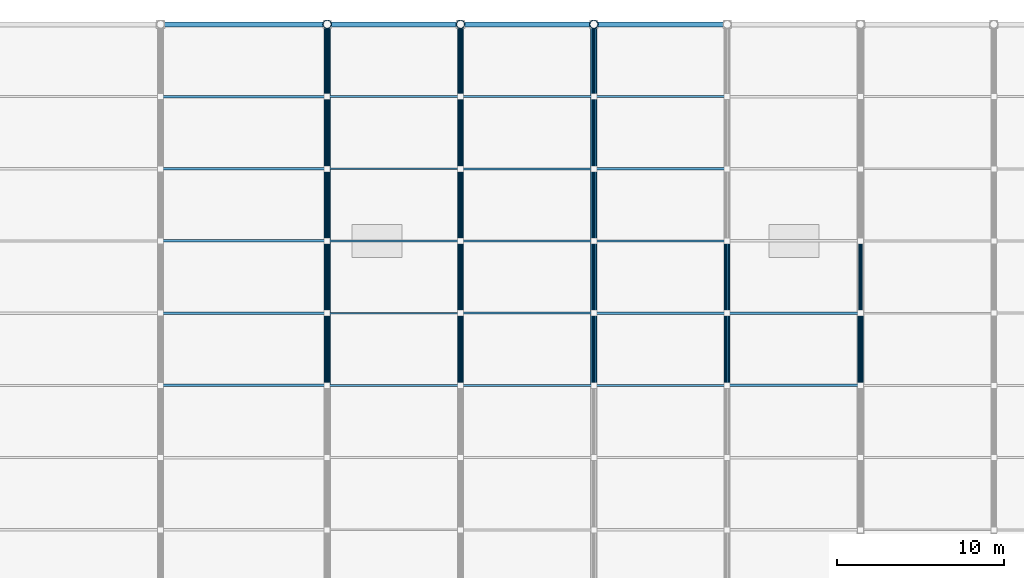
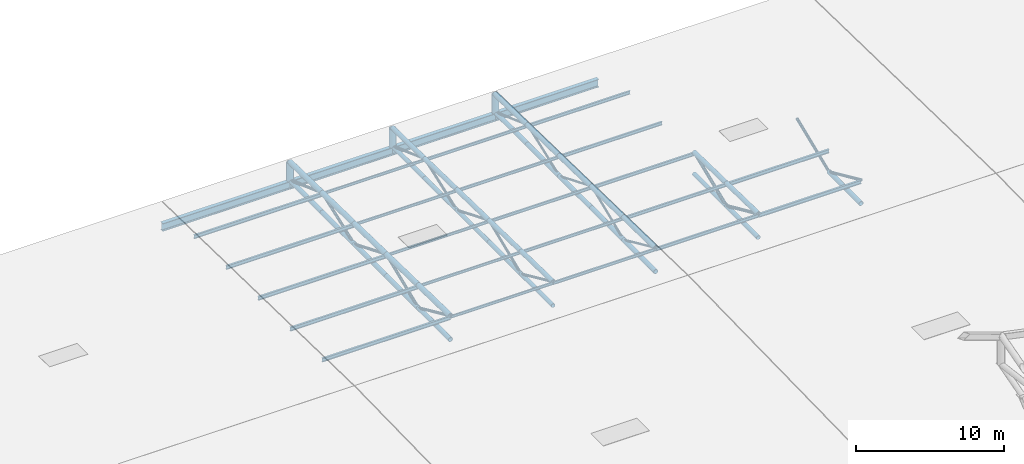
# One storey, part 51 of 75: 79 members, 4 beams.
"""IFC4 building model written with IfcOpenShell, lengths in metres."""

from ifc_helpers import new_model, si_unit, direction, frame, origin, origin_2d, place, context, subcontext, project, spatial, hollow_circle, i_section, extrude, material, material_profile, profile_set, type_object, element, save


model = new_model("IFC4")

# Units and contexts
model_context = context("Model", 3, precision=1e-05, world=origin(), true_north=direction((0.0, 1.0)))
body_context = subcontext(model_context, "Body", "Model", "MODEL_VIEW")
ifc_project = project(units=[si_unit("LENGTHUNIT", "METRE"), si_unit("AREAUNIT", "SQUARE_METRE"), si_unit("VOLUMEUNIT", "CUBIC_METRE"), si_unit("PLANEANGLEUNIT", "RADIAN"), si_unit("MASSUNIT", "GRAM", prefix="KILO")], contexts=[model_context])

# Site, building, storey
site_placement = place(None, origin())
site = spatial("IfcSite", under=ifc_project, at=site_placement, CompositionType="ELEMENT")
building_placement = place(site_placement, origin())
building = spatial("IfcBuilding", under=site, at=building_placement, Name="Khorjan Park Terminus", CompositionType="ELEMENT")
storey_placement = place(building_placement, frame((0.0, 0.0, 16.2)))
storey = spatial("IfcBuildingStorey", under=building, at=storey_placement, Name="L03", CompositionType="ELEMENT", Elevation=16.2)

# Members
ifc_material = material(Name="Steel S355", Category="steel")
ifc_material_profile_1 = material_profile(ifc_material, hollow_circle(Radius=0.0842, WallThickness=0.008, at=origin_2d()), Name="CHS 168.3x8")
ifc_profile_set_1 = profile_set([ifc_material_profile_1], Name="Steel S355")
member_type_1 = type_object("IfcMemberType", Name="MB-BR-168", PredefinedType="BRACE", material=ifc_profile_set_1)
member_1_placement = place(storey_placement, frame((56.0, 132.3333, -0.6417), z_axis=(0.0, 0.911269553162, -0.411810395061), x_axis=(-1.0, 0.0, 0.0)))
element("IfcMember", 1, at=member_1_placement, inside=storey, type_object=member_type_1, Name="Train shed flat truss web diagonal TB-17 (T7)", PredefinedType="BRACE", context=body_context, shape_type="SweptSolid", body=[
    extrude(hollow_circle(Radius=0.0842, WallThickness=0.008, at=origin_2d()), origin(), (0.0, 0.0, 1.0), 4.7553),
])
for number, where, z_axis, x_axis, name in (
    (2, (56.0, 136.6667, -2.6), (0.0, 0.92537575721, 0.379051062481), (-1.0, 0.0, 0.0), "Train shed flat truss web diagonal TB-17 (T7)"),
    (3, (56.0, 141.0, -0.825), (0.0, 0.92537575721, -0.379051062481), (-1.0, 0.0, 0.0), "Train shed flat truss web diagonal TB-17 (T7)"),
):
    element("IfcMember", number, at=place(storey_placement, frame(where, z_axis=z_axis, x_axis=x_axis)), inside=storey, type_object=member_type_1, Name=name, PredefinedType="BRACE", context=body_context, shape_type="SweptSolid", body=[
        extrude(hollow_circle(Radius=0.0842, WallThickness=0.008, at=origin_2d()), origin(), (0.0, 0.0, 1.0), 4.6827),
    ])
member_2_placement = place(storey_placement, frame((56.0, 145.3333, -2.6), z_axis=(0.0, 0.938681062758, 0.344786691187), x_axis=(-1.0, 0.0, 0.0)))
element("IfcMember", 4, at=member_2_placement, inside=storey, type_object=member_type_1, Name="Train shed flat truss web diagonal TB-17 (T7)", PredefinedType="BRACE", context=body_context, shape_type="SweptSolid", body=[
    extrude(hollow_circle(Radius=0.0842, WallThickness=0.008, at=origin_2d()), origin(), (0.0, 0.0, 1.0), 4.6165),
])
member_3_placement = place(storey_placement, frame((56.0, 149.6667, -1.0083), z_axis=(0.0, 0.938678487602, -0.344793701963), x_axis=(-1.0, 0.0, 0.0)))
element("IfcMember", 5, at=member_3_placement, inside=storey, type_object=member_type_1, Name="Train shed flat truss web diagonal TB-17 (T7)", PredefinedType="BRACE", context=body_context, shape_type="SweptSolid", body=[
    extrude(hollow_circle(Radius=0.0842, WallThickness=0.008, at=origin_2d()), origin(), (0.0, 0.0, 1.0), 4.6164),
])
ifc_material_profile_2 = material_profile(ifc_material, hollow_circle(Radius=0.0969, WallThickness=0.01, at=origin_2d()), Name="CHS 193.7x10")
ifc_profile_set_2 = profile_set([ifc_material_profile_2], Name="Steel S355")
member_type_2 = type_object("IfcMemberType", Name="MB-BR-194", PredefinedType="BRACE", material=ifc_profile_set_2)
member_4_placement = place(storey_placement, frame((48.0, 132.3333, -0.6417), z_axis=(0.0, 0.911269553162, -0.411810395061), x_axis=(-1.0, 0.0, 0.0)))
element("IfcMember", 6, at=member_4_placement, inside=storey, type_object=member_type_2, Name="Train shed flat truss web diagonal TB-19 (T6)", PredefinedType="BRACE", context=body_context, shape_type="SweptSolid", body=[
    extrude(hollow_circle(Radius=0.0969, WallThickness=0.01, at=origin_2d()), origin(), (0.0, 0.0, 1.0), 4.7553),
])
for number, where, z_axis, x_axis, name in (
    (7, (48.0, 136.6667, -2.6), (0.0, 0.92537575721, 0.379051062481), (-1.0, 0.0, 0.0), "Train shed flat truss web diagonal TB-19 (T6)"),
    (8, (48.0, 141.0, -0.825), (0.0, 0.92537575721, -0.379051062481), (-1.0, 0.0, 0.0), "Train shed flat truss web diagonal TB-19 (T6)"),
):
    element("IfcMember", number, at=place(storey_placement, frame(where, z_axis=z_axis, x_axis=x_axis)), inside=storey, type_object=member_type_2, Name=name, PredefinedType="BRACE", context=body_context, shape_type="SweptSolid", body=[
        extrude(hollow_circle(Radius=0.0969, WallThickness=0.01, at=origin_2d()), origin(), (0.0, 0.0, 1.0), 4.6827),
    ])
member_5_placement = place(storey_placement, frame((48.0, 145.3333, -2.6), z_axis=(0.0, 0.938681062758, 0.344786691187), x_axis=(-1.0, 0.0, 0.0)))
element("IfcMember", 9, at=member_5_placement, inside=storey, type_object=member_type_2, Name="Train shed flat truss web diagonal TB-19 (T6)", PredefinedType="BRACE", context=body_context, shape_type="SweptSolid", body=[
    extrude(hollow_circle(Radius=0.0969, WallThickness=0.01, at=origin_2d()), origin(), (0.0, 0.0, 1.0), 4.6165),
])
member_6_placement = place(storey_placement, frame((48.0, 149.6667, -1.0083), z_axis=(0.0, 0.938678487602, -0.344793701963), x_axis=(-1.0, 0.0, 0.0)))
element("IfcMember", 10, at=member_6_placement, inside=storey, type_object=member_type_2, Name="Train shed flat truss web diagonal TB-19 (T6)", PredefinedType="BRACE", context=body_context, shape_type="SweptSolid", body=[
    extrude(hollow_circle(Radius=0.0969, WallThickness=0.01, at=origin_2d()), origin(), (0.0, 0.0, 1.0), 4.6164),
])
ifc_material_profile_3 = material_profile(ifc_material, hollow_circle(Radius=0.1095, WallThickness=0.01, at=origin_2d()), Name="CHS 219.1x10")
ifc_profile_set_3 = profile_set([ifc_material_profile_3], Name="Steel S355")
member_type_3 = type_object("IfcMemberType", Name="MB-BR-219", PredefinedType="BRACE", material=ifc_profile_set_3)
member_7_placement = place(storey_placement, frame((40.0, 132.3333, -0.6417), z_axis=(0.0, 0.911269553162, -0.411810395061), x_axis=(-1.0, 0.0, 0.0)))
element("IfcMember", 11, at=member_7_placement, inside=storey, type_object=member_type_3, Name="Train shed flat truss web diagonal TB-22 (T5)", PredefinedType="BRACE", context=body_context, shape_type="SweptSolid", body=[
    extrude(hollow_circle(Radius=0.1095, WallThickness=0.01, at=origin_2d()), origin(), (0.0, 0.0, 1.0), 4.7553),
])
for number, where, z_axis, x_axis, name in (
    (12, (40.0, 136.6667, -2.6), (0.0, 0.92537575721, 0.379051062481), (-1.0, 0.0, 0.0), "Train shed flat truss web diagonal TB-22 (T5)"),
    (13, (40.0, 141.0, -0.825), (0.0, 0.92537575721, -0.379051062481), (-1.0, 0.0, 0.0), "Train shed flat truss web diagonal TB-22 (T5)"),
):
    element("IfcMember", number, at=place(storey_placement, frame(where, z_axis=z_axis, x_axis=x_axis)), inside=storey, type_object=member_type_3, Name=name, PredefinedType="BRACE", context=body_context, shape_type="SweptSolid", body=[
        extrude(hollow_circle(Radius=0.1095, WallThickness=0.01, at=origin_2d()), origin(), (0.0, 0.0, 1.0), 4.6827),
    ])
member_8_placement = place(storey_placement, frame((40.0, 145.3333, -2.6), z_axis=(0.0, 0.938681062758, 0.344786691187), x_axis=(-1.0, 0.0, 0.0)))
element("IfcMember", 14, at=member_8_placement, inside=storey, type_object=member_type_3, Name="Train shed flat truss web diagonal TB-22 (T5)", PredefinedType="BRACE", context=body_context, shape_type="SweptSolid", body=[
    extrude(hollow_circle(Radius=0.1095, WallThickness=0.01, at=origin_2d()), origin(), (0.0, 0.0, 1.0), 4.6165),
])
member_9_placement = place(storey_placement, frame((40.0, 149.6667, -1.0083), z_axis=(0.0, 0.938678487602, -0.344793701963), x_axis=(-1.0, 0.0, 0.0)))
element("IfcMember", 15, at=member_9_placement, inside=storey, type_object=member_type_3, Name="Train shed flat truss web diagonal TB-22 (T5)", PredefinedType="BRACE", context=body_context, shape_type="SweptSolid", body=[
    extrude(hollow_circle(Radius=0.1095, WallThickness=0.01, at=origin_2d()), origin(), (0.0, 0.0, 1.0), 4.6164),
])
member_10_placement = place(storey_placement, frame((72.0, 132.3333, -0.6417), z_axis=(0.0, 0.911269553162, -0.411810395061), x_axis=(-1.0, 0.0, 0.0)))
element("IfcMember", 16, at=member_10_placement, inside=storey, type_object=member_type_3, Name="Train shed flat truss web diagonal TB-22 (T9)", PredefinedType="BRACE", context=body_context, shape_type="SweptSolid", body=[
    extrude(hollow_circle(Radius=0.1095, WallThickness=0.01, at=origin_2d()), origin(), (0.0, 0.0, 1.0), 4.7553),
])
member_11_placement = place(storey_placement, frame((72.0, 136.6667, -2.6), z_axis=(0.0, 0.92537575721, 0.379051062481), x_axis=(-1.0, 0.0, 0.0)))
element("IfcMember", 17, at=member_11_placement, inside=storey, type_object=member_type_3, Name="Train shed flat truss web diagonal TB-22 (T9)", PredefinedType="BRACE", context=body_context, shape_type="SweptSolid", body=[
    extrude(hollow_circle(Radius=0.1095, WallThickness=0.01, at=origin_2d()), origin(), (0.0, 0.0, 1.0), 4.6827),
])
ifc_material_profile_4 = material_profile(ifc_material, hollow_circle(Radius=0.1222, WallThickness=0.0125, at=origin_2d()), Name="CHS 244.5x12.5")
ifc_profile_set_4 = profile_set([ifc_material_profile_4], Name="Steel S355")
member_type_4 = type_object("IfcMemberType", Name="MB-BR-245", PredefinedType="BRACE", material=ifc_profile_set_4)
member_12_placement = place(storey_placement, frame((64.0, 132.3333, -0.6417), z_axis=(0.0, 0.911269553162, -0.411810395061), x_axis=(-1.0, 0.0, 0.0)))
element("IfcMember", 18, at=member_12_placement, inside=storey, type_object=member_type_4, Name="Train shed flat truss web diagonal TB-24 (T8)", PredefinedType="BRACE", context=body_context, shape_type="SweptSolid", body=[
    extrude(hollow_circle(Radius=0.1222, WallThickness=0.0125, at=origin_2d()), origin(), (0.0, 0.0, 1.0), 4.7553),
])
member_13_placement = place(storey_placement, frame((64.0, 136.6667, -2.6), z_axis=(0.0, 0.92537575721, 0.379051062481), x_axis=(-1.0, 0.0, 0.0)))
element("IfcMember", 19, at=member_13_placement, inside=storey, type_object=member_type_4, Name="Train shed flat truss web diagonal TB-24 (T8)", PredefinedType="BRACE", context=body_context, shape_type="SweptSolid", body=[
    extrude(hollow_circle(Radius=0.1222, WallThickness=0.0125, at=origin_2d()), origin(), (0.0, 0.0, 1.0), 4.6827),
])
ifc_material_profile_5 = material_profile(ifc_material, hollow_circle(Radius=0.162, WallThickness=0.0125, at=origin_2d()), Name="CHS 323.9x12.5")
ifc_profile_set_5 = profile_set([ifc_material_profile_5], Name="Steel S355")
member_type_5 = type_object("IfcMemberType", Name="MB-CH-324", PredefinedType="CHORD", material=ifc_profile_set_5)
member_14_placement = place(storey_placement, frame((48.0, 132.3333, -2.6), z_axis=(0.0, 1.0, 0.0), x_axis=(-1.0, 0.0, 0.0)))
element("IfcMember", 20, at=member_14_placement, inside=storey, type_object=member_type_5, Name="Train shed flat truss bottom chord TC-32 (T6)", PredefinedType="CHORD", context=body_context, shape_type="SweptSolid", body=[
    extrude(hollow_circle(Radius=0.162, WallThickness=0.0125, at=origin_2d()), origin(), (0.0, 0.0, 1.0), 4.3334),
])
for number, where, z_axis, x_axis, name in (
    (21, (48.0, 136.6667, -2.6), (0.0, 1.0, 0.0), (-1.0, 0.0, 0.0), "Train shed flat truss bottom chord TC-32 (T6)"),
    (22, (48.0, 141.0, -2.6), (0.0, 1.0, 0.0), (-1.0, 0.0, 0.0), "Train shed flat truss bottom chord TC-32 (T6)"),
):
    element("IfcMember", number, at=place(storey_placement, frame(where, z_axis=z_axis, x_axis=x_axis)), inside=storey, type_object=member_type_5, Name=name, PredefinedType="CHORD", context=body_context, shape_type="SweptSolid", body=[
        extrude(hollow_circle(Radius=0.162, WallThickness=0.0125, at=origin_2d()), origin(), (0.0, 0.0, 1.0), 4.3333),
    ])
member_15_placement = place(storey_placement, frame((48.0, 145.3333, -2.6), z_axis=(0.0, 1.0, 0.0), x_axis=(-1.0, 0.0, 0.0)))
element("IfcMember", 23, at=member_15_placement, inside=storey, type_object=member_type_5, Name="Train shed flat truss bottom chord TC-32 (T6)", PredefinedType="CHORD", context=body_context, shape_type="SweptSolid", body=[
    extrude(hollow_circle(Radius=0.162, WallThickness=0.0125, at=origin_2d()), origin(), (0.0, 0.0, 1.0), 4.3334),
])
member_16_placement = place(storey_placement, frame((48.0, 149.6667, -2.6), z_axis=(0.0, 1.0, 0.0), x_axis=(-1.0, 0.0, 0.0)))
element("IfcMember", 24, at=member_16_placement, inside=storey, type_object=member_type_5, Name="Train shed flat truss bottom chord TC-32 (T6)", PredefinedType="CHORD", context=body_context, shape_type="SweptSolid", body=[
    extrude(hollow_circle(Radius=0.162, WallThickness=0.0125, at=origin_2d()), origin(), (0.0, 0.0, 1.0), 4.3333),
])
member_17_placement = place(storey_placement, frame((64.0, 132.3333, -2.6), z_axis=(0.0, 1.0, 0.0), x_axis=(-1.0, 0.0, 0.0)))
element("IfcMember", 25, at=member_17_placement, inside=storey, type_object=member_type_5, Name="Train shed flat truss bottom chord TC-32 (T8)", PredefinedType="CHORD", context=body_context, shape_type="SweptSolid", body=[
    extrude(hollow_circle(Radius=0.162, WallThickness=0.0125, at=origin_2d()), origin(), (0.0, 0.0, 1.0), 4.3334),
])
member_18_placement = place(storey_placement, frame((64.0, 136.6667, -2.6), z_axis=(0.0, 1.0, 0.0), x_axis=(-1.0, 0.0, 0.0)))
element("IfcMember", 26, at=member_18_placement, inside=storey, type_object=member_type_5, Name="Train shed flat truss bottom chord TC-32 (T8)", PredefinedType="CHORD", context=body_context, shape_type="SweptSolid", body=[
    extrude(hollow_circle(Radius=0.162, WallThickness=0.0125, at=origin_2d()), origin(), (0.0, 0.0, 1.0), 4.3333),
])
ifc_material_profile_6 = material_profile(ifc_material, hollow_circle(Radius=0.1778, WallThickness=0.016, at=origin_2d()), Name="CHS 355.6x16")
ifc_profile_set_6 = profile_set([ifc_material_profile_6], Name="Steel S355")
member_type_6 = type_object("IfcMemberType", Name="MB-CH-356", PredefinedType="CHORD", material=ifc_profile_set_6)
member_19_placement = place(storey_placement, frame((40.0, 132.3333, -2.6), z_axis=(0.0, 1.0, 0.0), x_axis=(-1.0, 0.0, 0.0)))
element("IfcMember", 27, at=member_19_placement, inside=storey, type_object=member_type_6, Name="Train shed flat truss bottom chord TC-36 (T5)", PredefinedType="CHORD", context=body_context, shape_type="SweptSolid", body=[
    extrude(hollow_circle(Radius=0.1778, WallThickness=0.016, at=origin_2d()), origin(), (0.0, 0.0, 1.0), 4.3334),
])
for number, where, z_axis, x_axis, name in (
    (28, (40.0, 136.6667, -2.6), (0.0, 1.0, 0.0), (-1.0, 0.0, 0.0), "Train shed flat truss bottom chord TC-36 (T5)"),
    (29, (40.0, 141.0, -2.6), (0.0, 1.0, 0.0), (-1.0, 0.0, 0.0), "Train shed flat truss bottom chord TC-36 (T5)"),
):
    element("IfcMember", number, at=place(storey_placement, frame(where, z_axis=z_axis, x_axis=x_axis)), inside=storey, type_object=member_type_6, Name=name, PredefinedType="CHORD", context=body_context, shape_type="SweptSolid", body=[
        extrude(hollow_circle(Radius=0.1778, WallThickness=0.016, at=origin_2d()), origin(), (0.0, 0.0, 1.0), 4.3333),
    ])
member_20_placement = place(storey_placement, frame((40.0, 145.3333, -2.6), z_axis=(0.0, 1.0, 0.0), x_axis=(-1.0, 0.0, 0.0)))
element("IfcMember", 30, at=member_20_placement, inside=storey, type_object=member_type_6, Name="Train shed flat truss bottom chord TC-36 (T5)", PredefinedType="CHORD", context=body_context, shape_type="SweptSolid", body=[
    extrude(hollow_circle(Radius=0.1778, WallThickness=0.016, at=origin_2d()), origin(), (0.0, 0.0, 1.0), 4.3334),
])
member_21_placement = place(storey_placement, frame((40.0, 149.6667, -2.6), z_axis=(0.0, 1.0, 0.0), x_axis=(-1.0, 0.0, 0.0)))
element("IfcMember", 31, at=member_21_placement, inside=storey, type_object=member_type_6, Name="Train shed flat truss bottom chord TC-36 (T5)", PredefinedType="CHORD", context=body_context, shape_type="SweptSolid", body=[
    extrude(hollow_circle(Radius=0.1778, WallThickness=0.016, at=origin_2d()), origin(), (0.0, 0.0, 1.0), 4.3333),
])
member_22_placement = place(storey_placement, frame((48.0, 132.3333, -0.6417), z_axis=(0.0, 0.999776664437, -0.021133415439), x_axis=(-1.0, 0.0, 0.0)))
element("IfcMember", 32, at=member_22_placement, inside=storey, type_object=member_type_6, Name="Train shed flat truss top chord TC-36 (T6)", PredefinedType="CHORD", context=body_context, shape_type="SweptSolid", body=[
    extrude(hollow_circle(Radius=0.1778, WallThickness=0.016, at=origin_2d()), origin(), (0.0, 0.0, 1.0), 4.3344),
])
for number, where, z_axis, x_axis, name in (
    (33, (48.0, 136.6667, -0.7333), (0.0, 0.999776166375, -0.021156964544), (-1.0, 0.0, 0.0), "Train shed flat truss top chord TC-36 (T6)"),
    (34, (48.0, 141.0, -0.825), (0.0, 0.999776166375, -0.021156964544), (-1.0, 0.0, 0.0), "Train shed flat truss top chord TC-36 (T6)"),
):
    element("IfcMember", number, at=place(storey_placement, frame(where, z_axis=z_axis, x_axis=x_axis)), inside=storey, type_object=member_type_6, Name=name, PredefinedType="CHORD", context=body_context, shape_type="SweptSolid", body=[
        extrude(hollow_circle(Radius=0.1778, WallThickness=0.016, at=origin_2d()), origin(), (0.0, 0.0, 1.0), 4.3343),
    ])
member_23_placement = place(storey_placement, frame((48.0, 145.3333, -0.9167), z_axis=(0.0, 0.999776664437, -0.021133415439), x_axis=(-1.0, 0.0, 0.0)))
element("IfcMember", 35, at=member_23_placement, inside=storey, type_object=member_type_6, Name="Train shed flat truss top chord TC-36 (T6)", PredefinedType="CHORD", context=body_context, shape_type="SweptSolid", body=[
    extrude(hollow_circle(Radius=0.1778, WallThickness=0.016, at=origin_2d()), origin(), (0.0, 0.0, 1.0), 4.3344),
])
member_24_placement = place(storey_placement, frame((48.0, 149.6667, -1.0083), z_axis=(0.0, 0.999776166375, -0.021156964544), x_axis=(-1.0, 0.0, 0.0)))
element("IfcMember", 36, at=member_24_placement, inside=storey, type_object=member_type_6, Name="Train shed flat truss top chord TC-36 (T6)", PredefinedType="CHORD", context=body_context, shape_type="SweptSolid", body=[
    extrude(hollow_circle(Radius=0.1778, WallThickness=0.016, at=origin_2d()), origin(), (0.0, 0.0, 1.0), 4.3343),
])
member_25_placement = place(storey_placement, frame((56.0, 132.3333, -2.6), z_axis=(0.0, 1.0, 0.0), x_axis=(-1.0, 0.0, 0.0)))
element("IfcMember", 37, at=member_25_placement, inside=storey, type_object=member_type_6, Name="Train shed flat truss bottom chord TC-36 (T7)", PredefinedType="CHORD", context=body_context, shape_type="SweptSolid", body=[
    extrude(hollow_circle(Radius=0.1778, WallThickness=0.016, at=origin_2d()), origin(), (0.0, 0.0, 1.0), 4.3334),
])
for number, where, z_axis, x_axis, name in (
    (38, (56.0, 136.6667, -2.6), (0.0, 1.0, 0.0), (-1.0, 0.0, 0.0), "Train shed flat truss bottom chord TC-36 (T7)"),
    (39, (56.0, 141.0, -2.6), (0.0, 1.0, 0.0), (-1.0, 0.0, 0.0), "Train shed flat truss bottom chord TC-36 (T7)"),
):
    element("IfcMember", number, at=place(storey_placement, frame(where, z_axis=z_axis, x_axis=x_axis)), inside=storey, type_object=member_type_6, Name=name, PredefinedType="CHORD", context=body_context, shape_type="SweptSolid", body=[
        extrude(hollow_circle(Radius=0.1778, WallThickness=0.016, at=origin_2d()), origin(), (0.0, 0.0, 1.0), 4.3333),
    ])
member_26_placement = place(storey_placement, frame((56.0, 145.3333, -2.6), z_axis=(0.0, 1.0, 0.0), x_axis=(-1.0, 0.0, 0.0)))
element("IfcMember", 40, at=member_26_placement, inside=storey, type_object=member_type_6, Name="Train shed flat truss bottom chord TC-36 (T7)", PredefinedType="CHORD", context=body_context, shape_type="SweptSolid", body=[
    extrude(hollow_circle(Radius=0.1778, WallThickness=0.016, at=origin_2d()), origin(), (0.0, 0.0, 1.0), 4.3334),
])
member_27_placement = place(storey_placement, frame((56.0, 149.6667, -2.6), z_axis=(0.0, 1.0, 0.0), x_axis=(-1.0, 0.0, 0.0)))
element("IfcMember", 41, at=member_27_placement, inside=storey, type_object=member_type_6, Name="Train shed flat truss bottom chord TC-36 (T7)", PredefinedType="CHORD", context=body_context, shape_type="SweptSolid", body=[
    extrude(hollow_circle(Radius=0.1778, WallThickness=0.016, at=origin_2d()), origin(), (0.0, 0.0, 1.0), 4.3333),
])
member_28_placement = place(storey_placement, frame((64.0, 132.3333, -0.6417), z_axis=(0.0, 0.999776664437, -0.021133415439), x_axis=(-1.0, 0.0, 0.0)))
element("IfcMember", 42, at=member_28_placement, inside=storey, type_object=member_type_6, Name="Train shed flat truss top chord TC-36 (T8)", PredefinedType="CHORD", context=body_context, shape_type="SweptSolid", body=[
    extrude(hollow_circle(Radius=0.1778, WallThickness=0.016, at=origin_2d()), origin(), (0.0, 0.0, 1.0), 4.3344),
])
member_29_placement = place(storey_placement, frame((64.0, 136.6667, -0.7333), z_axis=(0.0, 0.999776166375, -0.021156964544), x_axis=(-1.0, 0.0, 0.0)))
element("IfcMember", 43, at=member_29_placement, inside=storey, type_object=member_type_6, Name="Train shed flat truss top chord TC-36 (T8)", PredefinedType="CHORD", context=body_context, shape_type="SweptSolid", body=[
    extrude(hollow_circle(Radius=0.1778, WallThickness=0.016, at=origin_2d()), origin(), (0.0, 0.0, 1.0), 4.3343),
])
member_30_placement = place(storey_placement, frame((72.0, 132.3333, -2.6), z_axis=(0.0, 1.0, 0.0), x_axis=(-1.0, 0.0, 0.0)))
element("IfcMember", 44, at=member_30_placement, inside=storey, type_object=member_type_6, Name="Train shed flat truss bottom chord TC-36 (T9)", PredefinedType="CHORD", context=body_context, shape_type="SweptSolid", body=[
    extrude(hollow_circle(Radius=0.1778, WallThickness=0.016, at=origin_2d()), origin(), (0.0, 0.0, 1.0), 4.3334),
])
ifc_material_profile_7 = material_profile(ifc_material, hollow_circle(Radius=0.2032, WallThickness=0.016, at=origin_2d()), Name="CHS 406.4x16")
ifc_profile_set_7 = profile_set([ifc_material_profile_7], Name="Steel S355")
member_type_7 = type_object("IfcMemberType", Name="MB-CH-406", PredefinedType="CHORD", material=ifc_profile_set_7)
member_31_placement = place(storey_placement, frame((40.0, 132.3333, -0.6417), z_axis=(0.0, 0.999776664437, -0.021133415439), x_axis=(-1.0, 0.0, 0.0)))
element("IfcMember", 45, at=member_31_placement, inside=storey, type_object=member_type_7, Name="Train shed flat truss top chord TC-41 (T5)", PredefinedType="CHORD", context=body_context, shape_type="SweptSolid", body=[
    extrude(hollow_circle(Radius=0.2032, WallThickness=0.016, at=origin_2d()), origin(), (0.0, 0.0, 1.0), 4.3344),
])
for number, where, z_axis, x_axis, name in (
    (46, (40.0, 136.6667, -0.7333), (0.0, 0.999776166375, -0.021156964544), (-1.0, 0.0, 0.0), "Train shed flat truss top chord TC-41 (T5)"),
    (47, (40.0, 141.0, -0.825), (0.0, 0.999776166375, -0.021156964544), (-1.0, 0.0, 0.0), "Train shed flat truss top chord TC-41 (T5)"),
):
    element("IfcMember", number, at=place(storey_placement, frame(where, z_axis=z_axis, x_axis=x_axis)), inside=storey, type_object=member_type_7, Name=name, PredefinedType="CHORD", context=body_context, shape_type="SweptSolid", body=[
        extrude(hollow_circle(Radius=0.2032, WallThickness=0.016, at=origin_2d()), origin(), (0.0, 0.0, 1.0), 4.3343),
    ])
member_32_placement = place(storey_placement, frame((40.0, 145.3333, -0.9167), z_axis=(0.0, 0.999776664437, -0.021133415439), x_axis=(-1.0, 0.0, 0.0)))
element("IfcMember", 48, at=member_32_placement, inside=storey, type_object=member_type_7, Name="Train shed flat truss top chord TC-41 (T5)", PredefinedType="CHORD", context=body_context, shape_type="SweptSolid", body=[
    extrude(hollow_circle(Radius=0.2032, WallThickness=0.016, at=origin_2d()), origin(), (0.0, 0.0, 1.0), 4.3344),
])
member_33_placement = place(storey_placement, frame((40.0, 149.6667, -1.0083), z_axis=(0.0, 0.999776166375, -0.021156964544), x_axis=(-1.0, 0.0, 0.0)))
element("IfcMember", 49, at=member_33_placement, inside=storey, type_object=member_type_7, Name="Train shed flat truss top chord TC-41 (T5)", PredefinedType="CHORD", context=body_context, shape_type="SweptSolid", body=[
    extrude(hollow_circle(Radius=0.2032, WallThickness=0.016, at=origin_2d()), origin(), (0.0, 0.0, 1.0), 4.3343),
])
member_34_placement = place(storey_placement, frame((56.0, 132.3333, -0.6417), z_axis=(0.0, 0.999776664437, -0.021133415439), x_axis=(-1.0, 0.0, 0.0)))
element("IfcMember", 50, at=member_34_placement, inside=storey, type_object=member_type_7, Name="Train shed flat truss top chord TC-41 (T7)", PredefinedType="CHORD", context=body_context, shape_type="SweptSolid", body=[
    extrude(hollow_circle(Radius=0.2032, WallThickness=0.016, at=origin_2d()), origin(), (0.0, 0.0, 1.0), 4.3344),
])
for number, where, z_axis, x_axis, name in (
    (51, (56.0, 136.6667, -0.7333), (0.0, 0.999776166375, -0.021156964544), (-1.0, 0.0, 0.0), "Train shed flat truss top chord TC-41 (T7)"),
    (52, (56.0, 141.0, -0.825), (0.0, 0.999776166375, -0.021156964544), (-1.0, 0.0, 0.0), "Train shed flat truss top chord TC-41 (T7)"),
):
    element("IfcMember", number, at=place(storey_placement, frame(where, z_axis=z_axis, x_axis=x_axis)), inside=storey, type_object=member_type_7, Name=name, PredefinedType="CHORD", context=body_context, shape_type="SweptSolid", body=[
        extrude(hollow_circle(Radius=0.2032, WallThickness=0.016, at=origin_2d()), origin(), (0.0, 0.0, 1.0), 4.3343),
    ])
member_35_placement = place(storey_placement, frame((56.0, 145.3333, -0.9167), z_axis=(0.0, 0.999776664437, -0.021133415439), x_axis=(-1.0, 0.0, 0.0)))
element("IfcMember", 53, at=member_35_placement, inside=storey, type_object=member_type_7, Name="Train shed flat truss top chord TC-41 (T7)", PredefinedType="CHORD", context=body_context, shape_type="SweptSolid", body=[
    extrude(hollow_circle(Radius=0.2032, WallThickness=0.016, at=origin_2d()), origin(), (0.0, 0.0, 1.0), 4.3344),
])
member_36_placement = place(storey_placement, frame((56.0, 149.6667, -1.0083), z_axis=(0.0, 0.999776166375, -0.021156964544), x_axis=(-1.0, 0.0, 0.0)))
element("IfcMember", 54, at=member_36_placement, inside=storey, type_object=member_type_7, Name="Train shed flat truss top chord TC-41 (T7)", PredefinedType="CHORD", context=body_context, shape_type="SweptSolid", body=[
    extrude(hollow_circle(Radius=0.2032, WallThickness=0.016, at=origin_2d()), origin(), (0.0, 0.0, 1.0), 4.3343),
])
ifc_material_profile_8 = material_profile(ifc_material, i_section(OverallWidth=0.11, OverallDepth=0.22, WebThickness=0.0059, FlangeThickness=0.0092, FilletRadius=0.012, at=origin_2d()), Name="IPE 220")
ifc_profile_set_8 = profile_set([ifc_material_profile_8], Name="Steel S355")
member_type_8 = type_object("IfcMemberType", Name="MB-PR-IPE220", PredefinedType="PURLIN", material=ifc_profile_set_8)
for number, where, z_axis, x_axis, name in (
    (55, (40.0, 132.3333, -0.7317), (1.0, 0.0, 0.0), (0.0, 1.0, 0.0), "Train shed secondary roof purlin PR-22 (Bay 5)"),
    (56, (40.0, 136.6667, -0.8233), (1.0, 0.0, 0.0), (0.0, 1.0, 0.0), "Train shed secondary roof purlin PR-22 (Bay 5)"),
    (57, (40.0, 141.0, -0.915), (1.0, 0.0, 0.0), (0.0, 1.0, 0.0), "Train shed secondary roof purlin PR-22 (Bay 5)"),
    (58, (40.0, 145.3333, -1.0067), (1.0, 0.0, 0.0), (0.0, 1.0, 0.0), "Train shed secondary roof purlin PR-22 (Bay 5)"),
    (59, (40.0, 149.6667, -1.0983), (1.0, 0.0, 0.0), (0.0, 1.0, 0.0), "Train shed secondary roof purlin PR-22 (Bay 5)"),
):
    element("IfcMember", number, at=place(storey_placement, frame(where, z_axis=z_axis, x_axis=x_axis)), inside=storey, type_object=member_type_8, Name=name, PredefinedType="PURLIN", context=body_context, shape_type="SweptSolid", body=[
        extrude(i_section(OverallWidth=0.11, OverallDepth=0.22, WebThickness=0.0059, FlangeThickness=0.0092, FilletRadius=0.012, at=origin_2d()), origin(), (0.0, 0.0, 1.0), 8.0),
    ])
ifc_material_profile_9 = material_profile(ifc_material, i_section(OverallWidth=0.12, OverallDepth=0.24, WebThickness=0.0062, FlangeThickness=0.0098, FilletRadius=0.015, at=origin_2d()), Name="IPE 240")
ifc_profile_set_9 = profile_set([ifc_material_profile_9], Name="Steel S355")
member_type_9 = type_object("IfcMemberType", Name="MB-PR-IPE240", PredefinedType="PURLIN", material=ifc_profile_set_9)
for number, where, z_axis, x_axis, name in (
    (60, (48.0, 132.3333, -0.7417), (1.0, 0.0, 0.0), (0.0, 1.0, 0.0), "Train shed secondary roof purlin PR-24 (Bay 6)"),
    (61, (48.0, 136.6667, -0.8333), (1.0, 0.0, 0.0), (0.0, 1.0, 0.0), "Train shed secondary roof purlin PR-24 (Bay 6)"),
    (62, (48.0, 141.0, -0.925), (1.0, 0.0, 0.0), (0.0, 1.0, 0.0), "Train shed secondary roof purlin PR-24 (Bay 6)"),
    (63, (48.0, 145.3333, -1.0167), (1.0, 0.0, 0.0), (0.0, 1.0, 0.0), "Train shed secondary roof purlin PR-24 (Bay 6)"),
    (64, (48.0, 149.6667, -1.1083), (1.0, 0.0, 0.0), (0.0, 1.0, 0.0), "Train shed secondary roof purlin PR-24 (Bay 6)"),
):
    element("IfcMember", number, at=place(storey_placement, frame(where, z_axis=z_axis, x_axis=x_axis)), inside=storey, type_object=member_type_9, Name=name, PredefinedType="PURLIN", context=body_context, shape_type="SweptSolid", body=[
        extrude(i_section(OverallWidth=0.12, OverallDepth=0.24, WebThickness=0.0062, FlangeThickness=0.0098, FilletRadius=0.015, at=origin_2d()), origin(), (0.0, 0.0, 1.0), 8.0),
    ])
ifc_material_profile_10 = material_profile(ifc_material, i_section(OverallWidth=0.135, OverallDepth=0.27, WebThickness=0.0066, FlangeThickness=0.0102, FilletRadius=0.015, at=origin_2d()), Name="IPE 270")
ifc_profile_set_10 = profile_set([ifc_material_profile_10], Name="Steel S355")
member_type_10 = type_object("IfcMemberType", Name="MB-PR-IPE270", PredefinedType="PURLIN", material=ifc_profile_set_10)
for number, where, z_axis, x_axis, name in (
    (65, (56.0, 132.3333, -0.7567), (1.0, 0.0, 0.0), (0.0, 1.0, 0.0), "Train shed secondary roof purlin PR-27 (Bay 7)"),
    (66, (56.0, 136.6667, -0.8483), (1.0, 0.0, 0.0), (0.0, 1.0, 0.0), "Train shed secondary roof purlin PR-27 (Bay 7)"),
    (67, (56.0, 141.0, -0.94), (1.0, 0.0, 0.0), (0.0, 1.0, 0.0), "Train shed secondary roof purlin PR-27 (Bay 7)"),
    (68, (56.0, 145.3333, -1.0317), (1.0, 0.0, 0.0), (0.0, 1.0, 0.0), "Train shed secondary roof purlin PR-27 (Bay 7)"),
    (69, (56.0, 149.6667, -1.1233), (1.0, 0.0, 0.0), (0.0, 1.0, 0.0), "Train shed secondary roof purlin PR-27 (Bay 7)"),
):
    element("IfcMember", number, at=place(storey_placement, frame(where, z_axis=z_axis, x_axis=x_axis)), inside=storey, type_object=member_type_10, Name=name, PredefinedType="PURLIN", context=body_context, shape_type="SweptSolid", body=[
        extrude(i_section(OverallWidth=0.135, OverallDepth=0.27, WebThickness=0.0066, FlangeThickness=0.0102, FilletRadius=0.015, at=origin_2d()), origin(), (0.0, 0.0, 1.0), 8.0),
    ])
ifc_material_profile_11 = material_profile(ifc_material, i_section(OverallWidth=0.15, OverallDepth=0.3, WebThickness=0.0071, FlangeThickness=0.0107, FilletRadius=0.015, at=origin_2d()), Name="IPE 300")
ifc_profile_set_11 = profile_set([ifc_material_profile_11], Name="Steel S355")
member_type_11 = type_object("IfcMemberType", Name="MB-PR-IPE300", PredefinedType="PURLIN", material=ifc_profile_set_11)
for number, where, z_axis, x_axis, name in (
    (70, (30.0, 132.3333, -0.7717), (1.0, 0.0, 0.0), (0.0, 1.0, 0.0), "Train shed secondary roof purlin PR-30 (Bay 4)"),
    (71, (30.0, 136.6667, -0.8633), (1.0, 0.0, 0.0), (0.0, 1.0, 0.0), "Train shed secondary roof purlin PR-30 (Bay 4)"),
    (72, (30.0, 141.0, -0.955), (1.0, 0.0, 0.0), (0.0, 1.0, 0.0), "Train shed secondary roof purlin PR-30 (Bay 4)"),
    (73, (30.0, 145.3333, -1.0467), (1.0, 0.0, 0.0), (0.0, 1.0, 0.0), "Train shed secondary roof purlin PR-30 (Bay 4)"),
    (74, (30.0, 149.6667, -1.1383), (1.0, 0.0, 0.0), (0.0, 1.0, 0.0), "Train shed secondary roof purlin PR-30 (Bay 4)"),
):
    element("IfcMember", number, at=place(storey_placement, frame(where, z_axis=z_axis, x_axis=x_axis)), inside=storey, type_object=member_type_11, Name=name, PredefinedType="PURLIN", context=body_context, shape_type="SweptSolid", body=[
        extrude(i_section(OverallWidth=0.15, OverallDepth=0.3, WebThickness=0.0071, FlangeThickness=0.0107, FilletRadius=0.015, at=origin_2d()), origin(), (0.0, 0.0, 1.0), 10.0),
    ])
for number, where, z_axis, x_axis, name in (
    (75, (64.0, 132.3333, -0.7717), (1.0, 0.0, 0.0), (0.0, 1.0, 0.0), "Train shed secondary roof purlin PR-30 (Bay 8)"),
    (76, (64.0, 136.6667, -0.8633), (1.0, 0.0, 0.0), (0.0, 1.0, 0.0), "Train shed secondary roof purlin PR-30 (Bay 8)"),
):
    element("IfcMember", number, at=place(storey_placement, frame(where, z_axis=z_axis, x_axis=x_axis)), inside=storey, type_object=member_type_11, Name=name, PredefinedType="PURLIN", context=body_context, shape_type="SweptSolid", body=[
        extrude(i_section(OverallWidth=0.15, OverallDepth=0.3, WebThickness=0.0071, FlangeThickness=0.0107, FilletRadius=0.015, at=origin_2d()), origin(), (0.0, 0.0, 1.0), 8.0),
    ])
ifc_material_profile_12 = material_profile(ifc_material, hollow_circle(Radius=0.254, WallThickness=0.02, at=origin_2d()), Name="CHS 508x20")
ifc_profile_set_12 = profile_set([ifc_material_profile_12], Name="Steel S355")
member_type_12 = type_object("IfcMemberType", Name="MB-STE-508", PredefinedType="STRUT", material=ifc_profile_set_12)
for number, where, z_axis, x_axis, name in (
    (77, (40.0, 154.0, -2.62), (0.0, 0.0, 1.0), (1.0, 0.0, 0.0), "Train shed flat truss end post STE-51 (T5-N)"),
    (78, (48.0, 154.0, -2.62), (0.0, 0.0, 1.0), (1.0, 0.0, 0.0), "Train shed flat truss end post STE-51 (T6-N)"),
    (79, (56.0, 154.0, -2.62), (0.0, 0.0, 1.0), (1.0, 0.0, 0.0), "Train shed flat truss end post STE-51 (T7-N)"),
):
    element("IfcMember", number, at=place(storey_placement, frame(where, z_axis=z_axis, x_axis=x_axis)), inside=storey, type_object=member_type_12, Name=name, PredefinedType="STRUT", context=body_context, shape_type="SweptSolid", body=[
        extrude(hollow_circle(Radius=0.254, WallThickness=0.02, at=origin_2d()), origin(), (0.0, 0.0, 1.0), 1.52),
    ])

# Beams
ifc_material_profile_13 = material_profile(ifc_material, i_section(OverallWidth=0.3, OverallDepth=0.65, WebThickness=0.016, FlangeThickness=0.031, FilletRadius=0.027, at=origin_2d()), Name="HEB 650")
ifc_profile_set_13 = profile_set([ifc_material_profile_13], Name="Steel S355")
beam_type = type_object("IfcBeamType", Name="SP-HEB650E", PredefinedType="SPANDREL", material=ifc_profile_set_13)
beam_placement = place(storey_placement, frame((30.0, 154.0, -2.925), z_axis=(1.0, 0.0, 0.0), x_axis=(0.0, 1.0, 0.0)))
element("IfcBeam", 80, at=beam_placement, inside=storey, type_object=beam_type, Name="Train shed horizontal eave fascia girder SP-E65 (N4)", PredefinedType="SPANDREL", context=body_context, shape_type="SweptSolid", body=[
    extrude(i_section(OverallWidth=0.3, OverallDepth=0.65, WebThickness=0.016, FlangeThickness=0.031, FilletRadius=0.027, at=origin_2d()), origin(), (0.0, 0.0, 1.0), 10.0),
])
for number, where, z_axis, x_axis, name in (
    (81, (40.0, 154.0, -2.925), (1.0, 0.0, 0.0), (0.0, 1.0, 0.0), "Train shed horizontal eave fascia girder SP-E65 (N5)"),
    (82, (48.0, 154.0, -2.925), (1.0, 0.0, 0.0), (0.0, 1.0, 0.0), "Train shed horizontal eave fascia girder SP-E65 (N6)"),
    (83, (56.0, 154.0, -2.925), (1.0, 0.0, 0.0), (0.0, 1.0, 0.0), "Train shed horizontal eave fascia girder SP-E65 (N7)"),
):
    element("IfcBeam", number, at=place(storey_placement, frame(where, z_axis=z_axis, x_axis=x_axis)), inside=storey, type_object=beam_type, Name=name, PredefinedType="SPANDREL", context=body_context, shape_type="SweptSolid", body=[
        extrude(i_section(OverallWidth=0.3, OverallDepth=0.65, WebThickness=0.016, FlangeThickness=0.031, FilletRadius=0.027, at=origin_2d()), origin(), (0.0, 0.0, 1.0), 8.0),
    ])

save(model, "model.ifc")
